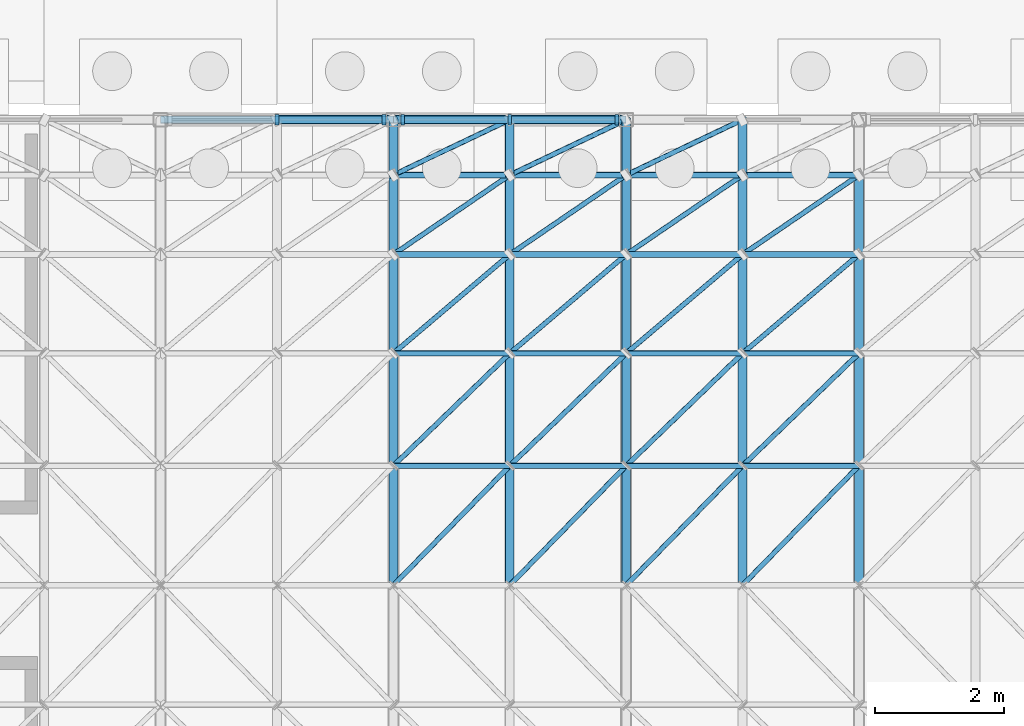
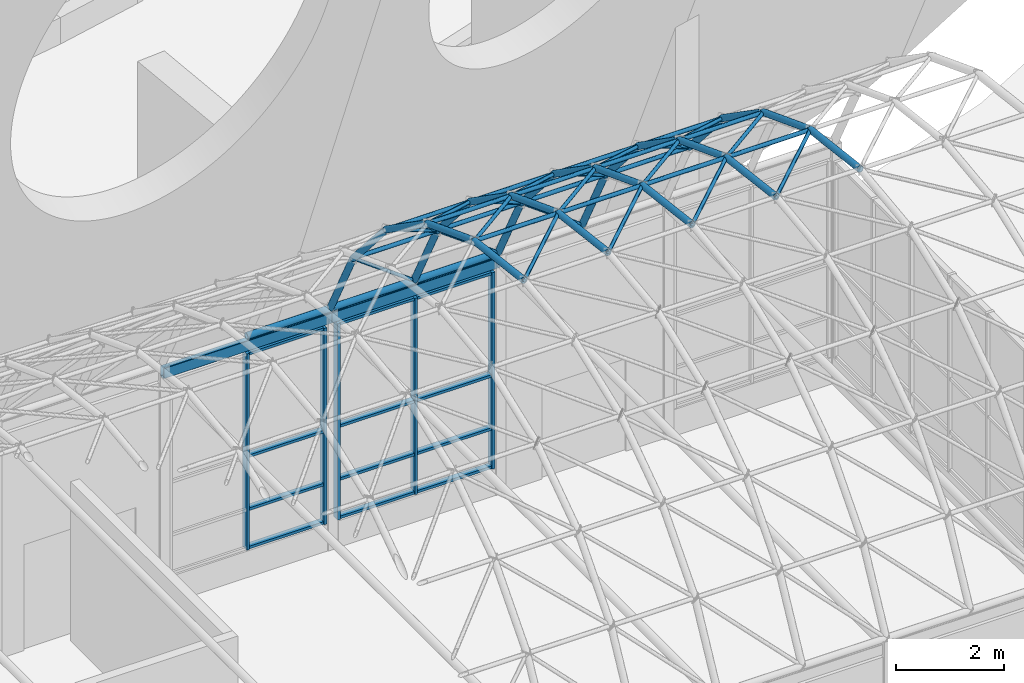
# One storey, part 35 of 116: 79 members, 2 beams, 2 elements without a shape of their own.
"""IFC4 building model written with IfcOpenShell, lengths in metres."""

from ifc_helpers import new_model, si_unit, direction, frame, origin, origin_2d, place, context, subcontext, project, spatial, rectangle, hollow_rectangle, hollow_circle, extrude, material, layer, layer_set, material_profile, profile_set, type_object, element, aggregate, save


model = new_model("IFC4")

# Units and contexts
model_context = context("Model", 3, precision=1e-05, world=origin(), true_north=direction((0.0, 1.0)))
body_context = subcontext(model_context, "Body", "Model", "MODEL_VIEW")
ifc_project = project(units=[si_unit("LENGTHUNIT", "METRE"), si_unit("AREAUNIT", "SQUARE_METRE"), si_unit("VOLUMEUNIT", "CUBIC_METRE"), si_unit("PLANEANGLEUNIT", "RADIAN"), si_unit("MASSUNIT", "GRAM", prefix="KILO")], contexts=[model_context])

# Site, building, storey
site_placement = place(None, origin())
site = spatial("IfcSite", under=ifc_project, at=site_placement, CompositionType="ELEMENT")
building_placement = place(site_placement, origin())
building = spatial("IfcBuilding", under=site, at=building_placement, Name="Ardhachandra Cancer Care Centre", CompositionType="ELEMENT")
storey_placement = place(building_placement, origin())
storey = spatial("IfcBuildingStorey", under=building, at=storey_placement, Name="L00", CompositionType="ELEMENT", Elevation=0.0)

# Beams
ifc_material_1 = material(Name="Steel E350 (IS 2062)", Category="steel")
ifc_material_profile_1 = material_profile(ifc_material_1, hollow_rectangle(XDim=0.1201171875, YDim=0.239990234375, WallThickness=0.006103515625, InnerFilletRadius=0.006103515625, OuterFilletRadius=0.011962890625, at=origin_2d()), Name="RHS 240x120x6.0")
ifc_profile_set_1 = profile_set([ifc_material_profile_1], Name="Steel E350 (IS 2062)")
beam_type = type_object("IfcBeamType", Name="Beam RHS 240x120x6.0", PredefinedType="BEAM", material=ifc_profile_set_1)
beam_1_placement = place(storey_placement, frame((78.0, 21.60009765625, 5.210205078125), z_axis=(1.0, 0.0, 0.0), x_axis=(0.0, 1.0, 0.0)))
element("IfcBeam", 1, at=beam_1_placement, inside=storey, type_object=beam_type, Name="Pavilion edge beam N5-6", PredefinedType="BEAM", context=body_context, shape_type="SweptSolid", body=[
    extrude(hollow_rectangle(XDim=0.1201171875, YDim=0.239990234375, WallThickness=0.006103515625, InnerFilletRadius=0.006103515625, OuterFilletRadius=0.011962890625, at=origin_2d()), origin(), (0.0, 0.0, 1.0), 3.60009765625),
])
beam_2_placement = place(storey_placement, frame((81.60009765625, 21.60009765625, 5.210205078125), z_axis=(1.0, 0.0, 0.0), x_axis=(0.0, 1.0, 0.0)))
element("IfcBeam", 2, at=beam_2_placement, inside=storey, type_object=beam_type, Name="Pavilion edge beam N6-7", PredefinedType="BEAM", context=body_context, shape_type="SweptSolid", body=[
    extrude(hollow_rectangle(XDim=0.1201171875, YDim=0.239990234375, WallThickness=0.006103515625, InnerFilletRadius=0.006103515625, OuterFilletRadius=0.011962890625, at=origin_2d()), origin(), (0.0, 0.0, 1.0), 3.599853515625),
])

# Curtain wall, members
ifc_material_2 = material(Name="Aluminium extrusion", Category="aluminium")
ifc_layer = layer(ifc_material_2, 0.14990234375)
ifc_layer_set = layer_set([ifc_layer], Name="Aluminium extrusion")
curtain_wall_type = type_object("IfcCurtainWallType", Name="Curtain wall run", PredefinedType="NOTDEFINED", material=ifc_layer_set)
curtain_wall_1_placement = place(storey_placement, origin())
curtain_wall_1 = element("IfcCurtainWall", 3, at=curtain_wall_1_placement, inside=storey, type_object=curtain_wall_type, Name="Curtain wall L00 n/0078000_0021600", PredefinedType="NOTDEFINED")
ifc_material_3 = material(Name="Aluminium extrusion", Category="aluminium")
ifc_material_profile_2 = material_profile(ifc_material_3, rectangle(XDim=0.159912109375, YDim=0.06005859375, at=origin_2d()), Name="Curtain wall mullion 60 x 160")
ifc_profile_set_2 = profile_set([ifc_material_profile_2], Name="Aluminium extrusion")
member_type_1 = type_object("IfcMemberType", Name="Curtain wall mullion 60 x 160", PredefinedType="MULLION", material=ifc_profile_set_2)
member_1_placement = place(storey_placement, frame((79.800048828125, 21.60009765625, 0.60009765625), z_axis=(0.0, 0.0, 1.0), x_axis=(0.0, 1.0, 0.0)))
member_1 = element("IfcMember", 4, at=member_1_placement, type_object=member_type_1, Name="CW mullion 2", PredefinedType="MULLION", context=body_context, shape_type="SweptSolid", body=[
    extrude(rectangle(XDim=0.159912109375, YDim=0.06005859375, at=origin_2d()), origin(), (0.0, 0.0, 1.0), 4.449951171875),
])
member_2_placement = place(storey_placement, frame((81.455078125, 21.60009765625, 0.60009765625), z_axis=(0.0, 0.0, 1.0), x_axis=(0.0, 1.0, 0.0)))
member_2 = element("IfcMember", 5, at=member_2_placement, type_object=member_type_1, Name="CW mullion 3", PredefinedType="MULLION", context=body_context, shape_type="SweptSolid", body=[
    extrude(rectangle(XDim=0.159912109375, YDim=0.06005859375, at=origin_2d()), origin(), (0.0, 0.0, 1.0), 4.449951171875),
])

curtain_wall_2_placement = place(storey_placement, origin())
curtain_wall_2 = element("IfcCurtainWall", 6, at=curtain_wall_2_placement, inside=storey, type_object=curtain_wall_type, Name="Curtain wall L00 n/0081600_0021600", PredefinedType="NOTDEFINED")
member_3_placement = place(storey_placement, frame((81.7451171875, 21.60009765625, 0.60009765625), z_axis=(0.0, 0.0, 1.0), x_axis=(0.0, 1.0, 0.0)))
member_3 = element("IfcMember", 7, at=member_3_placement, type_object=member_type_1, Name="CW mullion 1", PredefinedType="MULLION", context=body_context, shape_type="SweptSolid", body=[
    extrude(rectangle(XDim=0.159912109375, YDim=0.06005859375, at=origin_2d()), origin(), (0.0, 0.0, 1.0), 4.449951171875),
])
member_4_placement = place(storey_placement, frame((83.39990234375, 21.60009765625, 0.60009765625), z_axis=(0.0, 0.0, 1.0), x_axis=(0.0, 1.0, 0.0)))
member_4 = element("IfcMember", 8, at=member_4_placement, type_object=member_type_1, Name="CW mullion 2", PredefinedType="MULLION", context=body_context, shape_type="SweptSolid", body=[
    extrude(rectangle(XDim=0.159912109375, YDim=0.06005859375, at=origin_2d()), origin(), (0.0, 0.0, 1.0), 4.449951171875),
])
member_5_placement = place(storey_placement, frame((85.054931640625, 21.60009765625, 0.60009765625), z_axis=(0.0, 0.0, 1.0), x_axis=(0.0, 1.0, 0.0)))
member_5 = element("IfcMember", 9, at=member_5_placement, type_object=member_type_1, Name="CW mullion 3", PredefinedType="MULLION", context=body_context, shape_type="SweptSolid", body=[
    extrude(rectangle(XDim=0.159912109375, YDim=0.06005859375, at=origin_2d()), origin(), (0.0, 0.0, 1.0), 4.449951171875),
])

# Member
ifc_material_4 = material(Name="Aluminium extrusion", Category="aluminium")
ifc_material_profile_3 = material_profile(ifc_material_4, rectangle(XDim=0.1201171875, YDim=0.06005859375, at=origin_2d()), Name="Curtain wall transom 60 x 120")
ifc_profile_set_3 = profile_set([ifc_material_profile_3], Name="Aluminium extrusion")
member_type_2 = type_object("IfcMemberType", Name="Curtain wall transom 60 x 120", PredefinedType="USERDEFINED", material=ifc_profile_set_3)
member_6_placement = place(storey_placement, frame((79.830078125, 21.60009765625, 0.6298828125), z_axis=(1.0, 0.0, 0.0), x_axis=(0.0, 1.0, 0.0)))
member_6 = element("IfcMember", 10, at=member_6_placement, type_object=member_type_2, Name="CW transom 2.1", ObjectType="TRANSOM", PredefinedType="USERDEFINED", context=body_context, shape_type="SweptSolid", body=[
    extrude(rectangle(XDim=0.1201171875, YDim=0.06005859375, at=origin_2d()), origin(), (0.0, 0.0, 1.0), 1.594970703125),
])

member_7_placement = place(storey_placement, frame((79.830078125, 21.60009765625, 1.5), z_axis=(1.0, 0.0, 0.0), x_axis=(0.0, 1.0, 0.0)))
member_7 = element("IfcMember", 11, at=member_7_placement, type_object=member_type_2, Name="CW transom 2.2", ObjectType="TRANSOM", PredefinedType="USERDEFINED", context=body_context, shape_type="SweptSolid", body=[
    extrude(rectangle(XDim=0.1201171875, YDim=0.06005859375, at=origin_2d()), origin(), (0.0, 0.0, 1.0), 1.594970703125),
])

member_8_placement = place(storey_placement, frame((79.830078125, 21.60009765625, 2.699951171875), z_axis=(1.0, 0.0, 0.0), x_axis=(0.0, 1.0, 0.0)))
member_8 = element("IfcMember", 12, at=member_8_placement, type_object=member_type_2, Name="CW transom 2.3", ObjectType="TRANSOM", PredefinedType="USERDEFINED", context=body_context, shape_type="SweptSolid", body=[
    extrude(rectangle(XDim=0.1201171875, YDim=0.06005859375, at=origin_2d()), origin(), (0.0, 0.0, 1.0), 1.594970703125),
])

member_9_placement = place(storey_placement, frame((79.830078125, 21.60009765625, 5.02001953125), z_axis=(1.0, 0.0, 0.0), x_axis=(0.0, 1.0, 0.0)))
member_9 = element("IfcMember", 13, at=member_9_placement, type_object=member_type_2, Name="CW transom 2.4", ObjectType="TRANSOM", PredefinedType="USERDEFINED", context=body_context, shape_type="SweptSolid", body=[
    extrude(rectangle(XDim=0.1201171875, YDim=0.06005859375, at=origin_2d()), origin(), (0.0, 0.0, 1.0), 1.594970703125),
])

aggregate(curtain_wall_1, [member_1, member_2, member_6, member_7, member_8, member_9])

member_10_placement = place(storey_placement, frame((81.77490234375, 21.60009765625, 0.6298828125), z_axis=(1.0, 0.0, 0.0), x_axis=(0.0, 1.0, 0.0)))
member_10 = element("IfcMember", 14, at=member_10_placement, type_object=member_type_2, Name="CW transom 1.1", ObjectType="TRANSOM", PredefinedType="USERDEFINED", context=body_context, shape_type="SweptSolid", body=[
    extrude(rectangle(XDim=0.1201171875, YDim=0.06005859375, at=origin_2d()), origin(), (0.0, 0.0, 1.0), 1.59521484375),
])

member_11_placement = place(storey_placement, frame((81.77490234375, 21.60009765625, 1.5), z_axis=(1.0, 0.0, 0.0), x_axis=(0.0, 1.0, 0.0)))
member_11 = element("IfcMember", 15, at=member_11_placement, type_object=member_type_2, Name="CW transom 1.2", ObjectType="TRANSOM", PredefinedType="USERDEFINED", context=body_context, shape_type="SweptSolid", body=[
    extrude(rectangle(XDim=0.1201171875, YDim=0.06005859375, at=origin_2d()), origin(), (0.0, 0.0, 1.0), 1.59521484375),
])

member_12_placement = place(storey_placement, frame((81.77490234375, 21.60009765625, 2.699951171875), z_axis=(1.0, 0.0, 0.0), x_axis=(0.0, 1.0, 0.0)))
member_12 = element("IfcMember", 16, at=member_12_placement, type_object=member_type_2, Name="CW transom 1.3", ObjectType="TRANSOM", PredefinedType="USERDEFINED", context=body_context, shape_type="SweptSolid", body=[
    extrude(rectangle(XDim=0.1201171875, YDim=0.06005859375, at=origin_2d()), origin(), (0.0, 0.0, 1.0), 1.59521484375),
])

member_13_placement = place(storey_placement, frame((81.77490234375, 21.60009765625, 5.02001953125), z_axis=(1.0, 0.0, 0.0), x_axis=(0.0, 1.0, 0.0)))
member_13 = element("IfcMember", 17, at=member_13_placement, type_object=member_type_2, Name="CW transom 1.4", ObjectType="TRANSOM", PredefinedType="USERDEFINED", context=body_context, shape_type="SweptSolid", body=[
    extrude(rectangle(XDim=0.1201171875, YDim=0.06005859375, at=origin_2d()), origin(), (0.0, 0.0, 1.0), 1.59521484375),
])

member_14_placement = place(storey_placement, frame((83.429931640625, 21.60009765625, 0.6298828125), z_axis=(1.0, 0.0, 0.0), x_axis=(0.0, 1.0, 0.0)))
member_14 = element("IfcMember", 18, at=member_14_placement, type_object=member_type_2, Name="CW transom 2.1", ObjectType="TRANSOM", PredefinedType="USERDEFINED", context=body_context, shape_type="SweptSolid", body=[
    extrude(rectangle(XDim=0.1201171875, YDim=0.06005859375, at=origin_2d()), origin(), (0.0, 0.0, 1.0), 1.594970703125),
])

member_15_placement = place(storey_placement, frame((83.429931640625, 21.60009765625, 1.5), z_axis=(1.0, 0.0, 0.0), x_axis=(0.0, 1.0, 0.0)))
member_15 = element("IfcMember", 19, at=member_15_placement, type_object=member_type_2, Name="CW transom 2.2", ObjectType="TRANSOM", PredefinedType="USERDEFINED", context=body_context, shape_type="SweptSolid", body=[
    extrude(rectangle(XDim=0.1201171875, YDim=0.06005859375, at=origin_2d()), origin(), (0.0, 0.0, 1.0), 1.594970703125),
])

member_16_placement = place(storey_placement, frame((83.429931640625, 21.60009765625, 2.699951171875), z_axis=(1.0, 0.0, 0.0), x_axis=(0.0, 1.0, 0.0)))
member_16 = element("IfcMember", 20, at=member_16_placement, type_object=member_type_2, Name="CW transom 2.3", ObjectType="TRANSOM", PredefinedType="USERDEFINED", context=body_context, shape_type="SweptSolid", body=[
    extrude(rectangle(XDim=0.1201171875, YDim=0.06005859375, at=origin_2d()), origin(), (0.0, 0.0, 1.0), 1.594970703125),
])

member_17_placement = place(storey_placement, frame((83.429931640625, 21.60009765625, 5.02001953125), z_axis=(1.0, 0.0, 0.0), x_axis=(0.0, 1.0, 0.0)))
member_17 = element("IfcMember", 21, at=member_17_placement, type_object=member_type_2, Name="CW transom 2.4", ObjectType="TRANSOM", PredefinedType="USERDEFINED", context=body_context, shape_type="SweptSolid", body=[
    extrude(rectangle(XDim=0.1201171875, YDim=0.06005859375, at=origin_2d()), origin(), (0.0, 0.0, 1.0), 1.594970703125),
])

aggregate(curtain_wall_2, [member_3, member_4, member_5, member_10, member_11, member_12, member_13, member_14, member_15, member_16, member_17])

# Members
ifc_material_5 = material(Name="Steel E350 (IS 2062)", Category="steel")
ifc_material_profile_4 = material_profile(ifc_material_5, hollow_circle(Radius=0.0380859375, WallThickness=0.00390625, at=origin_2d()), Name="CHS 76.1x4.0")
ifc_profile_set_4 = profile_set([ifc_material_profile_4], Name="Steel E350 (IS 2062)")
member_type_3 = type_object("IfcMemberType", Name="Pavilion shell Diagonal CHS 76.1x4.0", PredefinedType="BRACE", material=ifc_profile_set_4)
member_18_placement = place(storey_placement, frame((81.60009765625, 14.39990234375, 10.39990234375), z_axis=(0.695169214351, 0.713557439636, -0.087037599681), x_axis=(-0.716275686375, 0.697817412443, 0.0)))
element("IfcMember", 22, at=member_18_placement, inside=storey, type_object=member_type_3, Name="Pavilion shell diagonal 10-05", PredefinedType="BRACE", context=body_context, shape_type="SweptSolid", body=[
    extrude(hollow_circle(Radius=0.0380859375, WallThickness=0.00390625, at=origin_2d()), origin(), (0.0, 0.0, 1.0), 2.589111328125),
])
for number, where, z_axis, x_axis, name in (
    (23, (81.60009765625, 16.247314453125, 10.174560546875), (0.695178684757, 0.671698015671, -0.256024162929), (-0.694857345354, 0.71914759932, 0.0), "Pavilion shell diagonal 10-06"),
    (24, (81.60009765625, 17.986328125, 9.51171875), (0.695188356468, 0.590419736821, -0.410021564558), (-0.647336239479, 0.762204561163, 0.0), "Pavilion shell diagonal 10-07"),
):
    element("IfcMember", number, at=place(storey_placement, frame(where, z_axis=z_axis, x_axis=x_axis)), inside=storey, type_object=member_type_3, Name=name, PredefinedType="BRACE", context=body_context, shape_type="SweptSolid", body=[
        extrude(hollow_circle(Radius=0.0380859375, WallThickness=0.00390625, at=origin_2d()), origin(), (0.0, 0.0, 1.0), 2.5888671875),
    ])
for number, where, z_axis, x_axis, name in (
    (25, (81.60009765625, 19.514892578125, 8.4501953125), (0.69514836166, 0.474590573011, -0.539937536471), (-0.563844248133, 0.825881143898, 0.0), "Pavilion shell diagonal 10-08"),
    (26, (81.60009765625, 20.74365234375, 7.05224609375), (0.69516776168, 0.330798766681, -0.638211531613), (-0.429686325077, 0.902978217922, 0.0), "Pavilion shell diagonal 10-09"),
    (27, (83.39990234375, 14.39990234375, 10.39990234375), (0.695217937392, 0.713510664891, -0.087031894237), (-0.716228375072, 0.697865971905, 0.0), "Pavilion shell diagonal 11-05"),
    (28, (83.39990234375, 16.247314453125, 10.174560546875), (0.69522740722, 0.671653983674, -0.25600737971), (-0.694808600346, 0.7191946947, 0.0), "Pavilion shell diagonal 11-06"),
    (29, (83.39990234375, 17.986328125, 9.51171875), (0.695237078341, 0.590381031804, -0.409994685559), (-0.647285228249, 0.762247881788, 0.0), "Pavilion shell diagonal 11-07"),
):
    element("IfcMember", number, at=place(storey_placement, frame(where, z_axis=z_axis, x_axis=x_axis)), inside=storey, type_object=member_type_3, Name=name, PredefinedType="BRACE", context=body_context, shape_type="SweptSolid", body=[
        extrude(hollow_circle(Radius=0.0380859375, WallThickness=0.00390625, at=origin_2d()), origin(), (0.0, 0.0, 1.0), 2.589111328125),
    ])
member_19_placement = place(storey_placement, frame((83.39990234375, 19.514892578125, 8.4501953125), z_axis=(0.695197085973, 0.474559464764, -0.539902144891), x_axis=(-0.563792083266, 0.825916755398, 0.0)))
element("IfcMember", 30, at=member_19_placement, inside=storey, type_object=member_type_3, Name="Pavilion shell diagonal 11-08", PredefinedType="BRACE", context=body_context, shape_type="SweptSolid", body=[
    extrude(hollow_circle(Radius=0.0380859375, WallThickness=0.00390625, at=origin_2d()), origin(), (0.0, 0.0, 1.0), 2.58935546875),
])
for number, where, z_axis, x_axis, name in (
    (31, (83.39990234375, 20.74365234375, 7.05224609375), (0.695216484809, 0.330777082424, -0.638169696079), (-0.429638804888, 0.903000829088, 0.0), "Pavilion shell diagonal 11-09"),
    (32, (85.199951171875, 14.39990234375, 10.39990234375), (0.695217937392, 0.713510664891, -0.087031894237), (-0.716228375072, 0.697865971905, 0.0), "Pavilion shell diagonal 12-05"),
    (33, (85.199951171875, 16.247314453125, 10.174560546875), (0.69522740722, 0.671653983674, -0.25600737971), (-0.694808600346, 0.7191946947, 0.0), "Pavilion shell diagonal 12-06"),
    (34, (85.199951171875, 17.986328125, 9.51171875), (0.695237078341, 0.590381031804, -0.409994685559), (-0.647285228249, 0.762247881788, 0.0), "Pavilion shell diagonal 12-07"),
):
    element("IfcMember", number, at=place(storey_placement, frame(where, z_axis=z_axis, x_axis=x_axis)), inside=storey, type_object=member_type_3, Name=name, PredefinedType="BRACE", context=body_context, shape_type="SweptSolid", body=[
        extrude(hollow_circle(Radius=0.0380859375, WallThickness=0.00390625, at=origin_2d()), origin(), (0.0, 0.0, 1.0), 2.589111328125),
    ])
member_20_placement = place(storey_placement, frame((85.199951171875, 19.514892578125, 8.4501953125), z_axis=(0.695197085973, 0.474559464764, -0.539902144891), x_axis=(-0.563792083266, 0.825916755398, 0.0)))
element("IfcMember", 35, at=member_20_placement, inside=storey, type_object=member_type_3, Name="Pavilion shell diagonal 12-08", PredefinedType="BRACE", context=body_context, shape_type="SweptSolid", body=[
    extrude(hollow_circle(Radius=0.0380859375, WallThickness=0.00390625, at=origin_2d()), origin(), (0.0, 0.0, 1.0), 2.58935546875),
])
for number, where, z_axis, x_axis, name in (
    (36, (85.199951171875, 20.74365234375, 7.05224609375), (0.695216484809, 0.330777082424, -0.638169696079), (-0.429638804888, 0.903000829088, 0.0), "Pavilion shell diagonal 12-09"),
    (37, (87.0, 14.39990234375, 10.39990234375), (0.695217937392, 0.713510664891, -0.087031894237), (-0.716228375072, 0.697865971905, 0.0), "Pavilion shell diagonal 13-05"),
    (38, (87.0, 16.247314453125, 10.174560546875), (0.69522740722, 0.671653983674, -0.25600737971), (-0.694808600346, 0.7191946947, 0.0), "Pavilion shell diagonal 13-06"),
    (39, (87.0, 17.986328125, 9.51171875), (0.695237078341, 0.590381031804, -0.409994685559), (-0.647285228249, 0.762247881788, 0.0), "Pavilion shell diagonal 13-07"),
):
    element("IfcMember", number, at=place(storey_placement, frame(where, z_axis=z_axis, x_axis=x_axis)), inside=storey, type_object=member_type_3, Name=name, PredefinedType="BRACE", context=body_context, shape_type="SweptSolid", body=[
        extrude(hollow_circle(Radius=0.0380859375, WallThickness=0.00390625, at=origin_2d()), origin(), (0.0, 0.0, 1.0), 2.589111328125),
    ])
member_21_placement = place(storey_placement, frame((87.0, 19.514892578125, 8.4501953125), z_axis=(0.695197085973, 0.474559464764, -0.539902144891), x_axis=(-0.563792083266, 0.825916755398, 0.0)))
element("IfcMember", 40, at=member_21_placement, inside=storey, type_object=member_type_3, Name="Pavilion shell diagonal 13-08", PredefinedType="BRACE", context=body_context, shape_type="SweptSolid", body=[
    extrude(hollow_circle(Radius=0.0380859375, WallThickness=0.00390625, at=origin_2d()), origin(), (0.0, 0.0, 1.0), 2.58935546875),
])
ifc_material_6 = material(Name="Steel E350 (IS 2062)", Category="steel")
ifc_material_profile_5 = material_profile(ifc_material_6, hollow_circle(Radius=0.06982421875, WallThickness=0.0048828125, at=origin_2d()), Name="CHS 139.7x5.0")
ifc_profile_set_5 = profile_set([ifc_material_profile_5], Name="Steel E350 (IS 2062)")
member_type_4 = type_object("IfcMemberType", Name="Pavilion shell Purlin CHS 139.7x5.0", PredefinedType="PURLIN", material=ifc_profile_set_5)
member_22_placement = place(storey_placement, frame((79.800048828125, 21.60009765625, 5.39990234375), z_axis=(1.0, 0.0, 0.0), x_axis=(0.0, 1.0, 0.0)))
element("IfcMember", 41, at=member_22_placement, inside=storey, type_object=member_type_4, Name="Pavilion shell purlin 09-10", PredefinedType="PURLIN", context=body_context, shape_type="SweptSolid", body=[
    extrude(hollow_circle(Radius=0.06982421875, WallThickness=0.0048828125, at=origin_2d()), origin(), (0.0, 0.0, 1.0), 1.800048828125),
])
member_23_placement = place(storey_placement, frame((81.60009765625, 21.60009765625, 5.39990234375), z_axis=(1.0, 0.0, 0.0), x_axis=(0.0, 1.0, 0.0)))
element("IfcMember", 42, at=member_23_placement, inside=storey, type_object=member_type_4, Name="Pavilion shell purlin 10-10", PredefinedType="PURLIN", context=body_context, shape_type="SweptSolid", body=[
    extrude(hollow_circle(Radius=0.06982421875, WallThickness=0.0048828125, at=origin_2d()), origin(), (0.0, 0.0, 1.0), 1.7998046875),
])
member_24_placement = place(storey_placement, frame((83.39990234375, 21.60009765625, 5.39990234375), z_axis=(1.0, 0.0, 0.0), x_axis=(0.0, 1.0, 0.0)))
element("IfcMember", 43, at=member_24_placement, inside=storey, type_object=member_type_4, Name="Pavilion shell purlin 11-10", PredefinedType="PURLIN", context=body_context, shape_type="SweptSolid", body=[
    extrude(hollow_circle(Radius=0.06982421875, WallThickness=0.0048828125, at=origin_2d()), origin(), (0.0, 0.0, 1.0), 1.800048828125),
])
ifc_material_7 = material(Name="Steel E350 (IS 2062)", Category="steel")
ifc_material_profile_6 = material_profile(ifc_material_7, hollow_circle(Radius=0.04443359375, WallThickness=0.00390625, at=origin_2d()), Name="CHS 88.9x4.0")
ifc_profile_set_6 = profile_set([ifc_material_profile_6], Name="Steel E350 (IS 2062)")
member_type_5 = type_object("IfcMemberType", Name="Pavilion shell Purlin CHS 88.9x4.0", PredefinedType="PURLIN", material=ifc_profile_set_6)
member_25_placement = place(storey_placement, frame((81.60009765625, 16.247314453125, 10.174560546875), z_axis=(1.0, 0.0, 0.0), x_axis=(0.0, 1.0, 0.0)))
element("IfcMember", 44, at=member_25_placement, inside=storey, type_object=member_type_5, Name="Pavilion shell purlin 10-06", PredefinedType="PURLIN", context=body_context, shape_type="SweptSolid", body=[
    extrude(hollow_circle(Radius=0.04443359375, WallThickness=0.00390625, at=origin_2d()), origin(), (0.0, 0.0, 1.0), 1.7998046875),
])
for number, where, z_axis, x_axis, name in (
    (45, (83.39990234375, 16.247314453125, 10.174560546875), (1.0, 0.0, 0.0), (0.0, 1.0, 0.0), "Pavilion shell purlin 11-06"),
    (46, (85.199951171875, 16.247314453125, 10.174560546875), (1.0, 0.0, 0.0), (0.0, 1.0, 0.0), "Pavilion shell purlin 12-06"),
    (47, (87.0, 16.247314453125, 10.174560546875), (1.0, 0.0, 0.0), (0.0, 1.0, 0.0), "Pavilion shell purlin 13-06"),
):
    element("IfcMember", number, at=place(storey_placement, frame(where, z_axis=z_axis, x_axis=x_axis)), inside=storey, type_object=member_type_5, Name=name, PredefinedType="PURLIN", context=body_context, shape_type="SweptSolid", body=[
        extrude(hollow_circle(Radius=0.04443359375, WallThickness=0.00390625, at=origin_2d()), origin(), (0.0, 0.0, 1.0), 1.800048828125),
    ])
member_26_placement = place(storey_placement, frame((81.60009765625, 17.986328125, 9.51171875), z_axis=(1.0, 0.0, 0.0), x_axis=(0.0, 1.0, 0.0)))
element("IfcMember", 48, at=member_26_placement, inside=storey, type_object=member_type_5, Name="Pavilion shell purlin 10-07", PredefinedType="PURLIN", context=body_context, shape_type="SweptSolid", body=[
    extrude(hollow_circle(Radius=0.04443359375, WallThickness=0.00390625, at=origin_2d()), origin(), (0.0, 0.0, 1.0), 1.7998046875),
])
for number, where, z_axis, x_axis, name in (
    (49, (83.39990234375, 17.986328125, 9.51171875), (1.0, 0.0, 0.0), (0.0, 1.0, 0.0), "Pavilion shell purlin 11-07"),
    (50, (85.199951171875, 17.986328125, 9.51171875), (1.0, 0.0, 0.0), (0.0, 1.0, 0.0), "Pavilion shell purlin 12-07"),
    (51, (87.0, 17.986328125, 9.51171875), (1.0, 0.0, 0.0), (0.0, 1.0, 0.0), "Pavilion shell purlin 13-07"),
):
    element("IfcMember", number, at=place(storey_placement, frame(where, z_axis=z_axis, x_axis=x_axis)), inside=storey, type_object=member_type_5, Name=name, PredefinedType="PURLIN", context=body_context, shape_type="SweptSolid", body=[
        extrude(hollow_circle(Radius=0.04443359375, WallThickness=0.00390625, at=origin_2d()), origin(), (0.0, 0.0, 1.0), 1.800048828125),
    ])
member_27_placement = place(storey_placement, frame((81.60009765625, 19.514892578125, 8.4501953125), z_axis=(1.0, 0.0, 0.0), x_axis=(0.0, 1.0, 0.0)))
element("IfcMember", 52, at=member_27_placement, inside=storey, type_object=member_type_5, Name="Pavilion shell purlin 10-08", PredefinedType="PURLIN", context=body_context, shape_type="SweptSolid", body=[
    extrude(hollow_circle(Radius=0.04443359375, WallThickness=0.00390625, at=origin_2d()), origin(), (0.0, 0.0, 1.0), 1.7998046875),
])
for number, where, z_axis, x_axis, name in (
    (53, (83.39990234375, 19.514892578125, 8.4501953125), (1.0, 0.0, 0.0), (0.0, 1.0, 0.0), "Pavilion shell purlin 11-08"),
    (54, (85.199951171875, 19.514892578125, 8.4501953125), (1.0, 0.0, 0.0), (0.0, 1.0, 0.0), "Pavilion shell purlin 12-08"),
    (55, (87.0, 19.514892578125, 8.4501953125), (1.0, 0.0, 0.0), (0.0, 1.0, 0.0), "Pavilion shell purlin 13-08"),
):
    element("IfcMember", number, at=place(storey_placement, frame(where, z_axis=z_axis, x_axis=x_axis)), inside=storey, type_object=member_type_5, Name=name, PredefinedType="PURLIN", context=body_context, shape_type="SweptSolid", body=[
        extrude(hollow_circle(Radius=0.04443359375, WallThickness=0.00390625, at=origin_2d()), origin(), (0.0, 0.0, 1.0), 1.800048828125),
    ])
member_28_placement = place(storey_placement, frame((81.60009765625, 20.74365234375, 7.05224609375), z_axis=(1.0, 0.0, 0.0), x_axis=(0.0, 1.0, 0.0)))
element("IfcMember", 56, at=member_28_placement, inside=storey, type_object=member_type_5, Name="Pavilion shell purlin 10-09", PredefinedType="PURLIN", context=body_context, shape_type="SweptSolid", body=[
    extrude(hollow_circle(Radius=0.04443359375, WallThickness=0.00390625, at=origin_2d()), origin(), (0.0, 0.0, 1.0), 1.7998046875),
])
for number, where, z_axis, x_axis, name in (
    (57, (83.39990234375, 20.74365234375, 7.05224609375), (1.0, 0.0, 0.0), (0.0, 1.0, 0.0), "Pavilion shell purlin 11-09"),
    (58, (85.199951171875, 20.74365234375, 7.05224609375), (1.0, 0.0, 0.0), (0.0, 1.0, 0.0), "Pavilion shell purlin 12-09"),
    (59, (87.0, 20.74365234375, 7.05224609375), (1.0, 0.0, 0.0), (0.0, 1.0, 0.0), "Pavilion shell purlin 13-09"),
):
    element("IfcMember", number, at=place(storey_placement, frame(where, z_axis=z_axis, x_axis=x_axis)), inside=storey, type_object=member_type_5, Name=name, PredefinedType="PURLIN", context=body_context, shape_type="SweptSolid", body=[
        extrude(hollow_circle(Radius=0.04443359375, WallThickness=0.00390625, at=origin_2d()), origin(), (0.0, 0.0, 1.0), 1.800048828125),
    ])
ifc_material_8 = material(Name="Steel E350 (IS 2062)", Category="steel")
ifc_material_profile_7 = material_profile(ifc_material_8, hollow_circle(Radius=0.06982421875, WallThickness=0.0048828125, at=origin_2d()), Name="CHS 139.7x5.0")
ifc_profile_set_7 = profile_set([ifc_material_profile_7], Name="Steel E350 (IS 2062)")
member_type_6 = type_object("IfcMemberType", Name="Pavilion shell Rib CHS 139.7x5.0", PredefinedType="RAFTER", material=ifc_profile_set_7)
for number, where, z_axis, x_axis, name in (
    (60, (81.60009765625, 14.39990234375, 10.39990234375), (0.0, 0.992642801486, -0.121079596375), (-1.0, 0.0, 0.0), "Pavilion shell rib 10-05"),
    (61, (81.60009765625, 16.247314453125, 10.174560546875), (0.0, 0.934423296617, -0.356164432165), (-1.0, 0.0, 0.0), "Pavilion shell rib 10-06"),
    (62, (81.60009765625, 17.986328125, 9.51171875), (0.0, 0.821364843797, -0.570403184927), (-1.0, 0.0, 0.0), "Pavilion shell rib 10-07"),
):
    element("IfcMember", number, at=place(storey_placement, frame(where, z_axis=z_axis, x_axis=x_axis)), inside=storey, type_object=member_type_6, Name=name, PredefinedType="RAFTER", context=body_context, shape_type="SweptSolid", body=[
        extrude(hollow_circle(Radius=0.06982421875, WallThickness=0.0048828125, at=origin_2d()), origin(), (0.0, 0.0, 1.0), 1.861083984375),
    ])
member_29_placement = place(storey_placement, frame((81.60009765625, 19.514892578125, 8.4501953125), z_axis=(0.0, 0.660193103956, -0.751095909647), x_axis=(-1.0, 0.0, 0.0)))
element("IfcMember", 63, at=member_29_placement, inside=storey, type_object=member_type_6, Name="Pavilion shell rib 10-08", PredefinedType="RAFTER", context=body_context, shape_type="SweptSolid", body=[
    extrude(hollow_circle(Radius=0.06982421875, WallThickness=0.0048828125, at=origin_2d()), origin(), (0.0, 0.0, 1.0), 1.861328125),
])
for number, where, z_axis, x_axis, name in (
    (64, (81.60009765625, 20.74365234375, 7.05224609375), (0.0, 0.460179313582, -0.8878259961), (-1.0, 0.0, 0.0), "Pavilion shell rib 10-09"),
    (65, (83.39990234375, 14.39990234375, 10.39990234375), (0.0, 0.992642801486, -0.121079596375), (-1.0, 0.0, 0.0), "Pavilion shell rib 11-05"),
    (66, (83.39990234375, 16.247314453125, 10.174560546875), (0.0, 0.934423296617, -0.356164432165), (-1.0, 0.0, 0.0), "Pavilion shell rib 11-06"),
    (67, (83.39990234375, 17.986328125, 9.51171875), (0.0, 0.821364843797, -0.570403184927), (-1.0, 0.0, 0.0), "Pavilion shell rib 11-07"),
):
    element("IfcMember", number, at=place(storey_placement, frame(where, z_axis=z_axis, x_axis=x_axis)), inside=storey, type_object=member_type_6, Name=name, PredefinedType="RAFTER", context=body_context, shape_type="SweptSolid", body=[
        extrude(hollow_circle(Radius=0.06982421875, WallThickness=0.0048828125, at=origin_2d()), origin(), (0.0, 0.0, 1.0), 1.861083984375),
    ])
member_30_placement = place(storey_placement, frame((83.39990234375, 19.514892578125, 8.4501953125), z_axis=(0.0, 0.660193103956, -0.751095909647), x_axis=(-1.0, 0.0, 0.0)))
element("IfcMember", 68, at=member_30_placement, inside=storey, type_object=member_type_6, Name="Pavilion shell rib 11-08", PredefinedType="RAFTER", context=body_context, shape_type="SweptSolid", body=[
    extrude(hollow_circle(Radius=0.06982421875, WallThickness=0.0048828125, at=origin_2d()), origin(), (0.0, 0.0, 1.0), 1.861328125),
])
for number, where, z_axis, x_axis, name in (
    (69, (83.39990234375, 20.74365234375, 7.05224609375), (0.0, 0.460179313582, -0.8878259961), (-1.0, 0.0, 0.0), "Pavilion shell rib 11-09"),
    (70, (85.199951171875, 14.39990234375, 10.39990234375), (0.0, 0.992642801486, -0.121079596375), (-1.0, 0.0, 0.0), "Pavilion shell rib 12-05"),
    (71, (85.199951171875, 16.247314453125, 10.174560546875), (0.0, 0.934423296617, -0.356164432165), (-1.0, 0.0, 0.0), "Pavilion shell rib 12-06"),
    (72, (85.199951171875, 17.986328125, 9.51171875), (0.0, 0.821364843797, -0.570403184927), (-1.0, 0.0, 0.0), "Pavilion shell rib 12-07"),
):
    element("IfcMember", number, at=place(storey_placement, frame(where, z_axis=z_axis, x_axis=x_axis)), inside=storey, type_object=member_type_6, Name=name, PredefinedType="RAFTER", context=body_context, shape_type="SweptSolid", body=[
        extrude(hollow_circle(Radius=0.06982421875, WallThickness=0.0048828125, at=origin_2d()), origin(), (0.0, 0.0, 1.0), 1.861083984375),
    ])
member_31_placement = place(storey_placement, frame((85.199951171875, 19.514892578125, 8.4501953125), z_axis=(0.0, 0.660193103956, -0.751095909647), x_axis=(-1.0, 0.0, 0.0)))
element("IfcMember", 73, at=member_31_placement, inside=storey, type_object=member_type_6, Name="Pavilion shell rib 12-08", PredefinedType="RAFTER", context=body_context, shape_type="SweptSolid", body=[
    extrude(hollow_circle(Radius=0.06982421875, WallThickness=0.0048828125, at=origin_2d()), origin(), (0.0, 0.0, 1.0), 1.861328125),
])
for number, where, z_axis, x_axis, name in (
    (74, (85.199951171875, 20.74365234375, 7.05224609375), (0.0, 0.460179313582, -0.8878259961), (-1.0, 0.0, 0.0), "Pavilion shell rib 12-09"),
    (75, (87.0, 14.39990234375, 10.39990234375), (0.0, 0.992642801486, -0.121079596375), (-1.0, 0.0, 0.0), "Pavilion shell rib 13-05"),
    (76, (87.0, 16.247314453125, 10.174560546875), (0.0, 0.934423296617, -0.356164432165), (-1.0, 0.0, 0.0), "Pavilion shell rib 13-06"),
    (77, (87.0, 17.986328125, 9.51171875), (0.0, 0.821364843797, -0.570403184927), (-1.0, 0.0, 0.0), "Pavilion shell rib 13-07"),
):
    element("IfcMember", number, at=place(storey_placement, frame(where, z_axis=z_axis, x_axis=x_axis)), inside=storey, type_object=member_type_6, Name=name, PredefinedType="RAFTER", context=body_context, shape_type="SweptSolid", body=[
        extrude(hollow_circle(Radius=0.06982421875, WallThickness=0.0048828125, at=origin_2d()), origin(), (0.0, 0.0, 1.0), 1.861083984375),
    ])
member_32_placement = place(storey_placement, frame((87.0, 19.514892578125, 8.4501953125), z_axis=(0.0, 0.660193103956, -0.751095909647), x_axis=(-1.0, 0.0, 0.0)))
element("IfcMember", 78, at=member_32_placement, inside=storey, type_object=member_type_6, Name="Pavilion shell rib 13-08", PredefinedType="RAFTER", context=body_context, shape_type="SweptSolid", body=[
    extrude(hollow_circle(Radius=0.06982421875, WallThickness=0.0048828125, at=origin_2d()), origin(), (0.0, 0.0, 1.0), 1.861328125),
])
for number, where, z_axis, x_axis, name in (
    (79, (87.0, 20.74365234375, 7.05224609375), (0.0, 0.460179313582, -0.8878259961), (-1.0, 0.0, 0.0), "Pavilion shell rib 13-09"),
    (80, (88.800048828125, 14.39990234375, 10.39990234375), (0.0, 0.992642801486, -0.121079596375), (-1.0, 0.0, 0.0), "Pavilion shell rib 14-05"),
    (81, (88.800048828125, 16.247314453125, 10.174560546875), (0.0, 0.934423296617, -0.356164432165), (-1.0, 0.0, 0.0), "Pavilion shell rib 14-06"),
    (82, (88.800048828125, 17.986328125, 9.51171875), (0.0, 0.821364843797, -0.570403184927), (-1.0, 0.0, 0.0), "Pavilion shell rib 14-07"),
):
    element("IfcMember", number, at=place(storey_placement, frame(where, z_axis=z_axis, x_axis=x_axis)), inside=storey, type_object=member_type_6, Name=name, PredefinedType="RAFTER", context=body_context, shape_type="SweptSolid", body=[
        extrude(hollow_circle(Radius=0.06982421875, WallThickness=0.0048828125, at=origin_2d()), origin(), (0.0, 0.0, 1.0), 1.861083984375),
    ])
member_33_placement = place(storey_placement, frame((88.800048828125, 19.514892578125, 8.4501953125), z_axis=(0.0, 0.660193103956, -0.751095909647), x_axis=(-1.0, 0.0, 0.0)))
element("IfcMember", 83, at=member_33_placement, inside=storey, type_object=member_type_6, Name="Pavilion shell rib 14-08", PredefinedType="RAFTER", context=body_context, shape_type="SweptSolid", body=[
    extrude(hollow_circle(Radius=0.06982421875, WallThickness=0.0048828125, at=origin_2d()), origin(), (0.0, 0.0, 1.0), 1.861328125),
])

save(model, "model.ifc")
